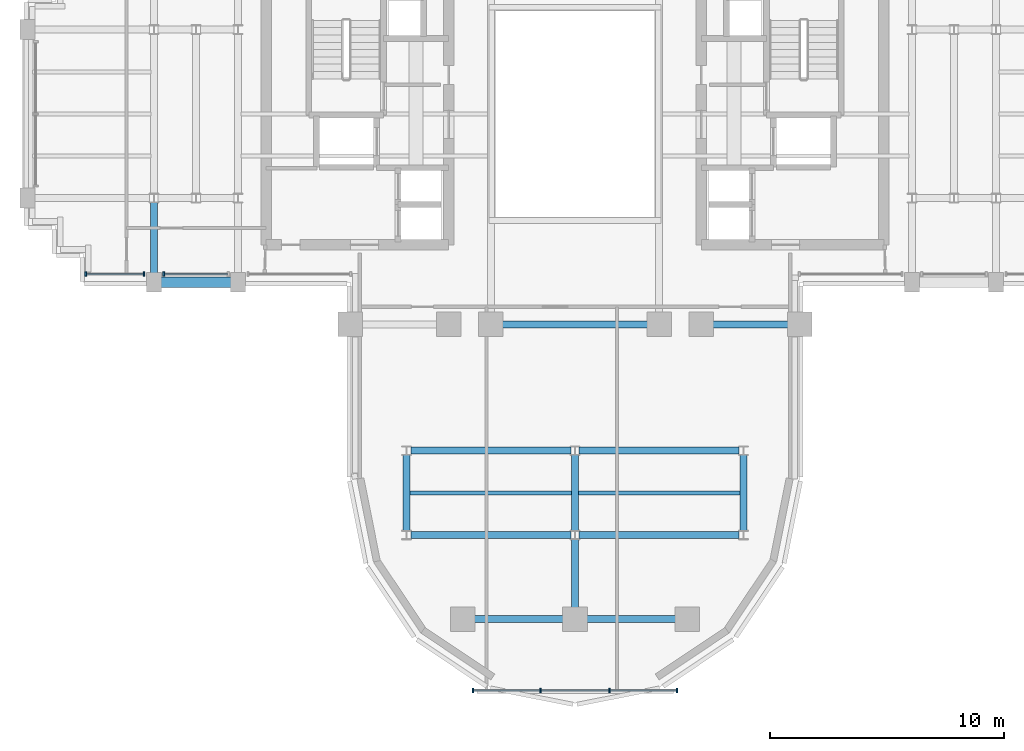
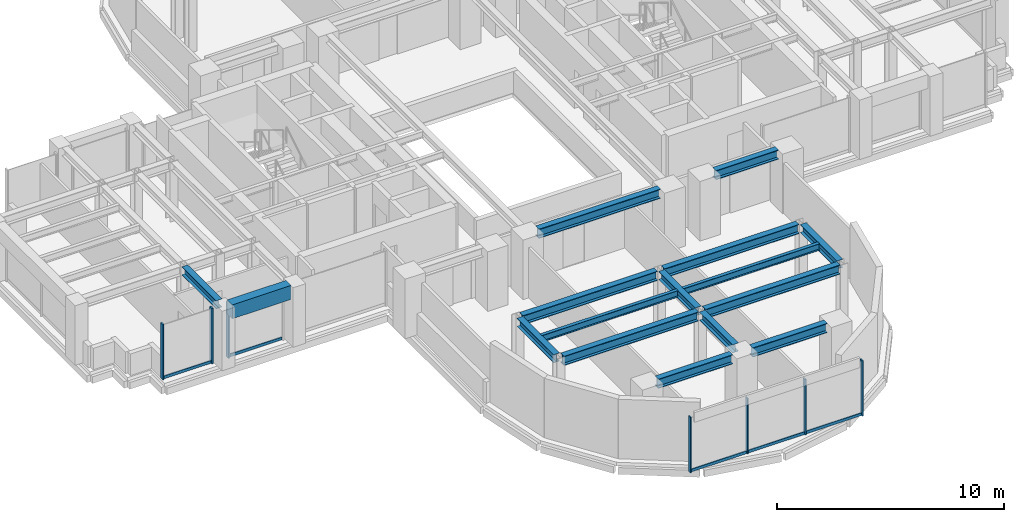
# One storey, part 3 of 13: 16 beams, 12 members, 3 elements without a shape of their own.
"""IFC4 building model written with IfcOpenShell, lengths in metres."""

from ifc_helpers import new_model, si_unit, direction, frame, origin, origin_2d, place, context, subcontext, project, spatial, rectangle, i_section, extrude, source, transform, mapped, material, material_profile, profile_set, type_object, element, aggregate, save


model = new_model("IFC4")

# Units and contexts
model_context = context("Model", 3, precision=1e-05, world=origin(), true_north=direction((0.0, 1.0)))
body_context = subcontext(model_context, "Body", "Model", "MODEL_VIEW")
ifc_project = project(units=[si_unit("LENGTHUNIT", "METRE"), si_unit("AREAUNIT", "SQUARE_METRE"), si_unit("VOLUMEUNIT", "CUBIC_METRE"), si_unit("PLANEANGLEUNIT", "RADIAN"), si_unit("MASSUNIT", "GRAM", prefix="KILO")], contexts=[model_context])

# Site, building, storey
site_placement = place(None, origin())
site = spatial("IfcSite", under=ifc_project, at=site_placement, CompositionType="ELEMENT")
building_placement = place(site_placement, origin())
building = spatial("IfcBuilding", under=site, at=building_placement, Name="Keilestroom Media Tower", CompositionType="ELEMENT")
storey_placement = place(building_placement, frame((0.0, 0.0, 144.800048828125)))
storey = spatial("IfcBuildingStorey", under=building, at=storey_placement, Name="L39", CompositionType="ELEMENT", Elevation=144.800048828125)

# Beams
ifc_material_1 = material(Name="Steel S355", Category="steel")
ifc_material_profile_1 = material_profile(ifc_material_1, i_section(OverallWidth=0.169921875, OverallDepth=0.360107421875, WebThickness=0.008056640625, FlangeThickness=0.0126953125, at=origin_2d()), Name="IPE 360")
ifc_profile_set_1 = profile_set([ifc_material_profile_1], Name="Steel S355")
beam_type_1 = type_object("IfcBeamType", Name="Secondary-Floor-Joist-IPE-360", PredefinedType="JOIST", material=ifc_profile_set_1)
shared_shape_1 = source(origin(), body_context, "Body", "SweptSolid", [
    extrude(i_section(OverallWidth=0.169921875, OverallDepth=0.360107421875, WebThickness=0.008056640625, FlangeThickness=0.0126953125, at=origin_2d()), origin(), (0.0, 0.0, 1.0), 6.940185546875),
])
for number, where, z_axis, x_axis, name in (
    (1, (-7.070068359375, -16.199951171875, 3.02001953125), (1.0, 0.0, 0.0), (0.0, 1.0, 0.0), "L39 Beam BJ-5 JST-L39-069"),
    (2, (0.1298828125, -16.199951171875, 3.02001953125), (1.0, 0.0, 0.0), (0.0, 1.0, 0.0), "L39 Beam BJ-5 JST-L39-070"),
):
    element("IfcBeam", number, at=place(storey_placement, frame(where, z_axis=z_axis, x_axis=x_axis)), inside=storey, type_object=beam_type_1, Name=name, PredefinedType="JOIST", context=body_context, shape_type="MappedRepresentation", body=[
        mapped(shared_shape_1, transform((0.0, 0.0, 0.0), x_axis=(1.0, 0.0, 0.0), y_axis=(0.0, 1.0, 0.0), z_axis=(0.0, 0.0, 1.0), scale=1.0)),
    ])
ifc_material_profile_2 = material_profile(ifc_material_1, i_section(OverallWidth=0.300048828125, OverallDepth=0.5, WebThickness=0.012451171875, FlangeThickness=0.028076171875, at=origin_2d()), Name="HEB 500")
ifc_profile_set_2 = profile_set([ifc_material_profile_2], Name="Steel S355")
beam_type_2 = type_object("IfcBeamType", Name="Primary-Structural-Girder-HEB-500", PredefinedType="BEAM", material=ifc_profile_set_2)
shared_shape_2 = source(origin(), body_context, "Body", "SweptSolid", [
    extrude(i_section(OverallWidth=0.300048828125, OverallDepth=0.5, WebThickness=0.012451171875, FlangeThickness=0.028076171875, at=origin_2d()), origin(), (0.0, 0.0, 1.0), 3.7900390625),
])
for number, where, z_axis, x_axis, name in (
    (3, (-4.294921875, -21.60009765625, 2.949951171875), (1.0, 0.0, 0.0), (0.0, 1.0, 0.0), "L39 Beam BG-6 BM-L39-EW-001"),
    (4, (0.5048828125, -21.60009765625, 2.949951171875), (1.0, 0.0, 0.0), (0.0, 1.0, 0.0), "L39 Beam BG-6 BM-L39-EW-002"),
):
    element("IfcBeam", number, at=place(storey_placement, frame(where, z_axis=z_axis, x_axis=x_axis)), inside=storey, type_object=beam_type_2, Name=name, PredefinedType="BEAM", context=body_context, shape_type="MappedRepresentation", body=[
        mapped(shared_shape_2, transform((0.0, 0.0, 0.0), x_axis=(1.0, 0.0, 0.0), y_axis=(0.0, 1.0, 0.0), z_axis=(0.0, 0.0, 1.0), scale=1.0)),
    ])
shared_shape_3 = source(origin(), body_context, "Body", "SweptSolid", [
    extrude(i_section(OverallWidth=0.300048828125, OverallDepth=0.5, WebThickness=0.012451171875, FlangeThickness=0.028076171875, at=origin_2d()), origin(), (0.0, 0.0, 1.0), 6.839111328125),
])
for number, where, z_axis, x_axis, name in (
    (5, (-7.01953125, -18.0, 2.949951171875), (1.0, 0.0, 0.0), (0.0, 1.0, 0.0), "L39 Beam BG-6 BM-L39-EW-003"),
    (6, (0.180419921875, -18.0, 2.949951171875), (1.0, 0.0, 0.0), (0.0, 1.0, 0.0), "L39 Beam BG-6 BM-L39-EW-004"),
    (7, (-7.01953125, -14.39990234375, 2.949951171875), (1.0, 0.0, 0.0), (0.0, 1.0, 0.0), "L39 Beam BG-6 BM-L39-EW-005"),
    (8, (0.180419921875, -14.39990234375, 2.949951171875), (1.0, 0.0, 0.0), (0.0, 1.0, 0.0), "L39 Beam BG-6 BM-L39-EW-006"),
):
    element("IfcBeam", number, at=place(storey_placement, frame(where, z_axis=z_axis, x_axis=x_axis)), inside=storey, type_object=beam_type_2, Name=name, PredefinedType="BEAM", context=body_context, shape_type="MappedRepresentation", body=[
        mapped(shared_shape_3, transform((0.0, 0.0, 0.0), x_axis=(1.0, 0.0, 0.0), y_axis=(0.0, 1.0, 0.0), z_axis=(0.0, 0.0, 1.0), scale=1.0)),
    ])
shared_shape_4 = source(origin(), body_context, "Body", "SweptSolid", [
    extrude(i_section(OverallWidth=0.300048828125, OverallDepth=0.5, WebThickness=0.012451171875, FlangeThickness=0.028076171875, at=origin_2d()), origin(), (0.0, 0.0, 1.0), 3.18994140625),
])
beam_1_placement = place(storey_placement, frame((5.905029296875, -9.0, 2.949951171875), z_axis=(1.0, 0.0, 0.0), x_axis=(0.0, 1.0, 0.0)))
element("IfcBeam", 9, at=beam_1_placement, inside=storey, type_object=beam_type_2, Name="L39 Beam BG-6 BM-L39-EW-011", PredefinedType="BEAM", context=body_context, shape_type="MappedRepresentation", body=[
    mapped(shared_shape_4, transform((0.0, 0.0, 0.0), x_axis=(1.0, 0.0, 0.0), y_axis=(0.0, 1.0, 0.0), z_axis=(0.0, 0.0, 1.0), scale=1.0)),
])
shared_shape_5 = source(origin(), body_context, "Body", "SweptSolid", [
    extrude(i_section(OverallWidth=0.300048828125, OverallDepth=0.5, WebThickness=0.012451171875, FlangeThickness=0.028076171875, at=origin_2d()), origin(), (0.0, 0.0, 1.0), 6.18994140625),
])
beam_2_placement = place(storey_placement, frame((-3.094970703125, -9.0, 2.949951171875), z_axis=(1.0, 0.0, 0.0), x_axis=(0.0, 1.0, 0.0)))
element("IfcBeam", 10, at=beam_2_placement, inside=storey, type_object=beam_type_2, Name="L39 Beam BG-6 BM-L39-EW-009", PredefinedType="BEAM", context=body_context, shape_type="MappedRepresentation", body=[
    mapped(shared_shape_5, transform((0.0, 0.0, 0.0), x_axis=(1.0, 0.0, 0.0), y_axis=(0.0, 1.0, 0.0), z_axis=(0.0, 0.0, 1.0), scale=1.0)),
])
ifc_material_2 = material(Name="Precast concrete C40/50", Category="concrete")
ifc_material_profile_3 = material_profile(ifc_material_2, rectangle(XDim=0.449951171875, YDim=0.75, at=origin_2d()), Name="PC 450x750")
ifc_profile_set_3 = profile_set([ifc_material_profile_3], Name="Precast concrete C40/50")
beam_type_3 = type_object("IfcBeamType", Name="Perimeter-Spandrel-Beam-PC-450x750", PredefinedType="SPANDREL", material=ifc_profile_set_3)
shared_shape_6 = source(origin(), body_context, "Body", "SweptSolid", [
    extrude(rectangle(XDim=0.449951171875, YDim=0.75, at=origin_2d()), origin(), (0.0, 0.0, 1.0), 2.989990234375),
])
beam_3_placement = place(storey_placement, frame((-17.695068359375, -7.199951171875, 2.824951171875), z_axis=(1.0, 0.0, 0.0), x_axis=(0.0, 1.0, 0.0)))
element("IfcBeam", 11, at=beam_3_placement, inside=storey, type_object=beam_type_3, Name="L39 Beam SPB-1 BM-L39-EW-012", PredefinedType="SPANDREL", context=body_context, shape_type="MappedRepresentation", body=[
    mapped(shared_shape_6, transform((0.0, 0.0, 0.0), x_axis=(1.0, 0.0, 0.0), y_axis=(0.0, 1.0, 0.0), z_axis=(0.0, 0.0, 1.0), scale=1.0)),
])
ifc_material_profile_4 = material_profile(ifc_material_1, i_section(OverallWidth=0.300048828125, OverallDepth=0.43994140625, WebThickness=0.011474609375, FlangeThickness=0.02099609375, at=origin_2d()), Name="HEA 450")
ifc_profile_set_4 = profile_set([ifc_material_profile_4], Name="Steel S355")
beam_type_4 = type_object("IfcBeamType", Name="Primary-Structural-Girder-HEA-450", PredefinedType="BEAM", material=ifc_profile_set_4)
shared_shape_7 = source(origin(), body_context, "Body", "SweptSolid", [
    extrude(i_section(OverallWidth=0.300048828125, OverallDepth=0.43994140625, WebThickness=0.011474609375, FlangeThickness=0.02099609375, at=origin_2d()), origin(), (0.0, 0.0, 1.0), 3.015380859375),
])
beam_4_placement = place(storey_placement, frame((-18.0, -6.794921875, 2.97998046875), z_axis=(0.0, 1.0, 0.0), x_axis=(-1.0, 0.0, 0.0)))
element("IfcBeam", 12, at=beam_4_placement, inside=storey, type_object=beam_type_4, Name="L39 Beam BG-11 BM-L39-NS-040", PredefinedType="BEAM", context=body_context, shape_type="MappedRepresentation", body=[
    mapped(shared_shape_7, transform((0.0, 0.0, 0.0), x_axis=(1.0, 0.0, 0.0), y_axis=(0.0, 1.0, 0.0), z_axis=(0.0, 0.0, 1.0), scale=1.0)),
])
shared_shape_8 = source(origin(), body_context, "Body", "SweptSolid", [
    extrude(i_section(OverallWidth=0.300048828125, OverallDepth=0.43994140625, WebThickness=0.011474609375, FlangeThickness=0.02099609375, at=origin_2d()), origin(), (0.0, 0.0, 1.0), 3.240966796875),
])
for number, where, z_axis, x_axis, name in (
    (13, (-7.199951171875, -17.820556640625, 2.97998046875), (0.0, 1.0, 0.0), (-1.0, 0.0, 0.0), "L39 Beam BG-11 BM-L39-NS-048"),
    (14, (0.0, -17.820556640625, 2.97998046875), (0.0, 1.0, 0.0), (-1.0, 0.0, 0.0), "L39 Beam BG-11 BM-L39-NS-053"),
    (15, (7.199951171875, -17.820556640625, 2.97998046875), (0.0, 1.0, 0.0), (-1.0, 0.0, 0.0), "L39 Beam BG-11 BM-L39-NS-058"),
):
    element("IfcBeam", number, at=place(storey_placement, frame(where, z_axis=z_axis, x_axis=x_axis)), inside=storey, type_object=beam_type_4, Name=name, PredefinedType="BEAM", context=body_context, shape_type="MappedRepresentation", body=[
        mapped(shared_shape_8, transform((0.0, 0.0, 0.0), x_axis=(1.0, 0.0, 0.0), y_axis=(0.0, 1.0, 0.0), z_axis=(0.0, 0.0, 1.0), scale=1.0)),
    ])
shared_shape_9 = source(origin(), body_context, "Body", "SweptSolid", [
    extrude(i_section(OverallWidth=0.300048828125, OverallDepth=0.43994140625, WebThickness=0.011474609375, FlangeThickness=0.02099609375, at=origin_2d()), origin(), (0.0, 0.0, 1.0), 2.91552734375),
])
beam_5_placement = place(storey_placement, frame((0.0, -21.094970703125, 2.97998046875), z_axis=(0.0, 1.0, 0.0), x_axis=(-1.0, 0.0, 0.0)))
element("IfcBeam", 16, at=beam_5_placement, inside=storey, type_object=beam_type_4, Name="L39 Beam BG-11 BM-L39-NS-052", PredefinedType="BEAM", context=body_context, shape_type="MappedRepresentation", body=[
    mapped(shared_shape_9, transform((0.0, 0.0, 0.0), x_axis=(1.0, 0.0, 0.0), y_axis=(0.0, 1.0, 0.0), z_axis=(0.0, 0.0, 1.0), scale=1.0)),
])

# Curtain wall, members
ifc_material_3 = material(Name="Anodised Aluminium Alloy", Category="aluminium")
curtain_wall_type_1 = type_object("IfcCurtainWallType", Name="Unitised-Curtain-Wall-CW-6", PredefinedType="NOTDEFINED", material=ifc_material_3)
curtain_wall_1_placement = place(storey_placement, origin())
curtain_wall_1 = element("IfcCurtainWall", 17, at=curtain_wall_1_placement, inside=storey, type_object=curtain_wall_type_1, Name="L39 Curtain Wall CW-6 CW-L39-LS-1", PredefinedType="NOTDEFINED")
ifc_material_profile_5 = material_profile(ifc_material_3, rectangle(XDim=0.06494140625, YDim=0.179931640625, at=origin_2d()), Name="ALU MULLION 65x180")
ifc_profile_set_5 = profile_set([ifc_material_profile_5], Name="Anodised Aluminium Alloy")
member_type_1 = type_object("IfcMemberType", Name="Curtain-Wall-Mullion-CW-6", PredefinedType="MULLION", material=ifc_profile_set_5)
shared_shape_10 = source(origin(), body_context, "Body", "SweptSolid", [
    extrude(rectangle(XDim=0.06494140625, YDim=0.179931640625, at=origin_2d()), origin(), (0.0, 0.0, 1.0), 2.97998046875),
])
member_1_placement = place(storey_placement, frame((-4.367431640625, -24.64990234375, 0.0), z_axis=(0.0, 0.0, 1.0), x_axis=(1.0, 0.0, 0.0)))
member_1 = element("IfcMember", 18, at=member_1_placement, type_object=member_type_1, Name="CW-6 Mullion 00", PredefinedType="MULLION", context=body_context, shape_type="MappedRepresentation", body=[
    mapped(shared_shape_10, transform((0.0, 0.0, 0.0), x_axis=(1.0, 0.0, 0.0), y_axis=(0.0, 1.0, 0.0), z_axis=(0.0, 0.0, 1.0), scale=1.0)),
])
member_2_placement = place(storey_placement, frame((-1.466796875, -24.64990234375, 0.0), z_axis=(0.0, 0.0, 1.0), x_axis=(1.0, 0.0, 0.0)))
member_2 = element("IfcMember", 19, at=member_2_placement, type_object=member_type_1, Name="CW-6 Mullion 01", PredefinedType="MULLION", context=body_context, shape_type="MappedRepresentation", body=[
    mapped(shared_shape_10, transform((0.0, 0.0, 0.0), x_axis=(1.0, 0.0, 0.0), y_axis=(0.0, 1.0, 0.0), z_axis=(0.0, 0.0, 1.0), scale=1.0)),
])
member_3_placement = place(storey_placement, frame((1.466796875, -24.64990234375, 0.0), z_axis=(0.0, 0.0, 1.0), x_axis=(1.0, 0.0, 0.0)))
member_3 = element("IfcMember", 20, at=member_3_placement, type_object=member_type_1, Name="CW-6 Mullion 02", PredefinedType="MULLION", context=body_context, shape_type="MappedRepresentation", body=[
    mapped(shared_shape_10, transform((0.0, 0.0, 0.0), x_axis=(1.0, 0.0, 0.0), y_axis=(0.0, 1.0, 0.0), z_axis=(0.0, 0.0, 1.0), scale=1.0)),
])
member_4_placement = place(storey_placement, frame((4.367431640625, -24.64990234375, 0.0), z_axis=(0.0, 0.0, 1.0), x_axis=(1.0, 0.0, 0.0)))
member_4 = element("IfcMember", 21, at=member_4_placement, type_object=member_type_1, Name="CW-6 Mullion 03", PredefinedType="MULLION", context=body_context, shape_type="MappedRepresentation", body=[
    mapped(shared_shape_10, transform((0.0, 0.0, 0.0), x_axis=(1.0, 0.0, 0.0), y_axis=(0.0, 1.0, 0.0), z_axis=(0.0, 0.0, 1.0), scale=1.0)),
])
ifc_material_profile_6 = material_profile(ifc_material_3, rectangle(XDim=0.06494140625, YDim=0.14990234375, at=origin_2d()), Name="ALU TRANSOM 65x150")
ifc_profile_set_6 = profile_set([ifc_material_profile_6], Name="Anodised Aluminium Alloy")
member_type_2 = type_object("IfcMemberType", Name="Curtain-Wall-Transom-CW-6", PredefinedType="USERDEFINED", material=ifc_profile_set_6)
shared_shape_11 = source(origin(), body_context, "Body", "SweptSolid", [
    extrude(rectangle(XDim=0.06494140625, YDim=0.14990234375, at=origin_2d()), origin(), (0.0, 0.0, 1.0), 2.839599609375),
])
member_5_placement = place(storey_placement, frame((-4.3369140625, -24.64990234375, 0.074951171875), z_axis=(1.0, 0.0, 0.0), x_axis=(0.0, 1.0, 0.0)))
member_5 = element("IfcMember", 22, at=member_5_placement, type_object=member_type_2, Name="CW-6 Transom 00.1", ObjectType="TRANSOM", PredefinedType="USERDEFINED", context=body_context, shape_type="MappedRepresentation", body=[
    mapped(shared_shape_11, transform((0.0, 0.0, 0.0), x_axis=(1.0, 0.0, 0.0), y_axis=(0.0, 1.0, 0.0), z_axis=(0.0, 0.0, 1.0), scale=1.0)),
])
member_6_placement = place(storey_placement, frame((1.497314453125, -24.64990234375, 0.074951171875), z_axis=(1.0, 0.0, 0.0), x_axis=(0.0, 1.0, 0.0)))
member_6 = element("IfcMember", 23, at=member_6_placement, type_object=member_type_2, Name="CW-6 Transom 02.1", ObjectType="TRANSOM", PredefinedType="USERDEFINED", context=body_context, shape_type="MappedRepresentation", body=[
    mapped(shared_shape_11, transform((0.0, 0.0, 0.0), x_axis=(1.0, 0.0, 0.0), y_axis=(0.0, 1.0, 0.0), z_axis=(0.0, 0.0, 1.0), scale=1.0)),
])
shared_shape_12 = source(origin(), body_context, "Body", "SweptSolid", [
    extrude(rectangle(XDim=0.06494140625, YDim=0.14990234375, at=origin_2d()), origin(), (0.0, 0.0, 1.0), 2.87255859375),
])
member_7_placement = place(storey_placement, frame((-1.436279296875, -24.64990234375, 0.074951171875), z_axis=(1.0, 0.0, 0.0), x_axis=(0.0, 1.0, 0.0)))
member_7 = element("IfcMember", 24, at=member_7_placement, type_object=member_type_2, Name="CW-6 Transom 01.1", ObjectType="TRANSOM", PredefinedType="USERDEFINED", context=body_context, shape_type="MappedRepresentation", body=[
    mapped(shared_shape_12, transform((0.0, 0.0, 0.0), x_axis=(1.0, 0.0, 0.0), y_axis=(0.0, 1.0, 0.0), z_axis=(0.0, 0.0, 1.0), scale=1.0)),
])
aggregate(curtain_wall_1, [member_1, member_2, member_3, member_4, member_5, member_7, member_6])

curtain_wall_type_2 = type_object("IfcCurtainWallType", Name="Unitised-Curtain-Wall-CW-2", PredefinedType="NOTDEFINED", material=ifc_material_3)
curtain_wall_2_placement = place(storey_placement, origin())
curtain_wall_2 = element("IfcCurtainWall", 25, at=curtain_wall_2_placement, inside=storey, type_object=curtain_wall_type_2, Name="L39 Curtain Wall CW-2 CW-L39-SW-1", PredefinedType="NOTDEFINED")
ifc_material_profile_7 = material_profile(ifc_material_3, rectangle(XDim=0.070068359375, YDim=0.199951171875, at=origin_2d()), Name="ALU MULLION 70x200")
ifc_profile_set_7 = profile_set([ifc_material_profile_7], Name="Anodised Aluminium Alloy")
member_type_3 = type_object("IfcMemberType", Name="Curtain-Wall-Mullion-CW-2", PredefinedType="MULLION", material=ifc_profile_set_7)
shared_shape_13 = source(origin(), body_context, "Body", "SweptSolid", [
    extrude(rectangle(XDim=0.070068359375, YDim=0.199951171875, at=origin_2d()), origin(), (0.0, 0.0, 1.0), 2.97998046875),
])
member_8_placement = place(storey_placement, frame((-20.9150390625, -6.85009765625, 0.0), z_axis=(0.0, 0.0, 1.0), x_axis=(1.0, 0.0, 0.0)))
member_8 = element("IfcMember", 26, at=member_8_placement, type_object=member_type_3, Name="CW-2 Mullion 00", PredefinedType="MULLION", context=body_context, shape_type="MappedRepresentation", body=[
    mapped(shared_shape_13, transform((0.0, 0.0, 0.0), x_axis=(1.0, 0.0, 0.0), y_axis=(0.0, 1.0, 0.0), z_axis=(0.0, 0.0, 1.0), scale=1.0)),
])
member_9_placement = place(storey_placement, frame((-18.419921875, -6.85009765625, 0.0), z_axis=(0.0, 0.0, 1.0), x_axis=(1.0, 0.0, 0.0)))
member_9 = element("IfcMember", 27, at=member_9_placement, type_object=member_type_3, Name="CW-2 Mullion 01", PredefinedType="MULLION", context=body_context, shape_type="MappedRepresentation", body=[
    mapped(shared_shape_13, transform((0.0, 0.0, 0.0), x_axis=(1.0, 0.0, 0.0), y_axis=(0.0, 1.0, 0.0), z_axis=(0.0, 0.0, 1.0), scale=1.0)),
])

# Curtain wall, member
curtain_wall_3_placement = place(storey_placement, origin())
curtain_wall_3 = element("IfcCurtainWall", 28, at=curtain_wall_3_placement, inside=storey, type_object=curtain_wall_type_2, Name="L39 Curtain Wall CW-2 CW-L39-SW-2", PredefinedType="NOTDEFINED")
member_10_placement = place(storey_placement, frame((-17.580078125, -6.85009765625, 0.0), z_axis=(0.0, 0.0, 1.0), x_axis=(1.0, 0.0, 0.0)))
member_10 = element("IfcMember", 29, at=member_10_placement, type_object=member_type_3, Name="CW-2 Mullion 00", PredefinedType="MULLION", context=body_context, shape_type="MappedRepresentation", body=[
    mapped(shared_shape_13, transform((0.0, 0.0, 0.0), x_axis=(1.0, 0.0, 0.0), y_axis=(0.0, 1.0, 0.0), z_axis=(0.0, 0.0, 1.0), scale=1.0)),
])

# Member
ifc_material_profile_8 = material_profile(ifc_material_3, rectangle(XDim=0.06494140625, YDim=0.14990234375, at=origin_2d()), Name="ALU TRANSOM 65x150")
ifc_profile_set_8 = profile_set([ifc_material_profile_8], Name="Anodised Aluminium Alloy")
member_type_4 = type_object("IfcMemberType", Name="Curtain-Wall-Transom-CW-2", PredefinedType="USERDEFINED", material=ifc_profile_set_8)
shared_shape_14 = source(origin(), body_context, "Body", "SweptSolid", [
    extrude(rectangle(XDim=0.06494140625, YDim=0.14990234375, at=origin_2d()), origin(), (0.0, 0.0, 1.0), 2.42919921875),
])
member_11_placement = place(storey_placement, frame((-20.882080078125, -6.85009765625, 0.074951171875), z_axis=(1.0, 0.0, 0.0), x_axis=(0.0, 1.0, 0.0)))
member_11 = element("IfcMember", 30, at=member_11_placement, type_object=member_type_4, Name="CW-2 Transom 00.1", ObjectType="TRANSOM", PredefinedType="USERDEFINED", context=body_context, shape_type="MappedRepresentation", body=[
    mapped(shared_shape_14, transform((0.0, 0.0, 0.0), x_axis=(1.0, 0.0, 0.0), y_axis=(0.0, 1.0, 0.0), z_axis=(0.0, 0.0, 1.0), scale=1.0)),
])

aggregate(curtain_wall_2, [member_8, member_9, member_11])

shared_shape_15 = source(origin(), body_context, "Body", "SweptSolid", [
    extrude(rectangle(XDim=0.06494140625, YDim=0.14990234375, at=origin_2d()), origin(), (0.0, 0.0, 1.0), 2.694091796875),
])
member_12_placement = place(storey_placement, frame((-17.547119140625, -6.85009765625, 0.074951171875), z_axis=(1.0, 0.0, 0.0), x_axis=(0.0, 1.0, 0.0)))
member_12 = element("IfcMember", 31, at=member_12_placement, type_object=member_type_4, Name="CW-2 Transom 00.1", ObjectType="TRANSOM", PredefinedType="USERDEFINED", context=body_context, shape_type="MappedRepresentation", body=[
    mapped(shared_shape_15, transform((0.0, 0.0, 0.0), x_axis=(1.0, 0.0, 0.0), y_axis=(0.0, 1.0, 0.0), z_axis=(0.0, 0.0, 1.0), scale=1.0)),
])

aggregate(curtain_wall_3, [member_10, member_12])

save(model, "model.ifc")
